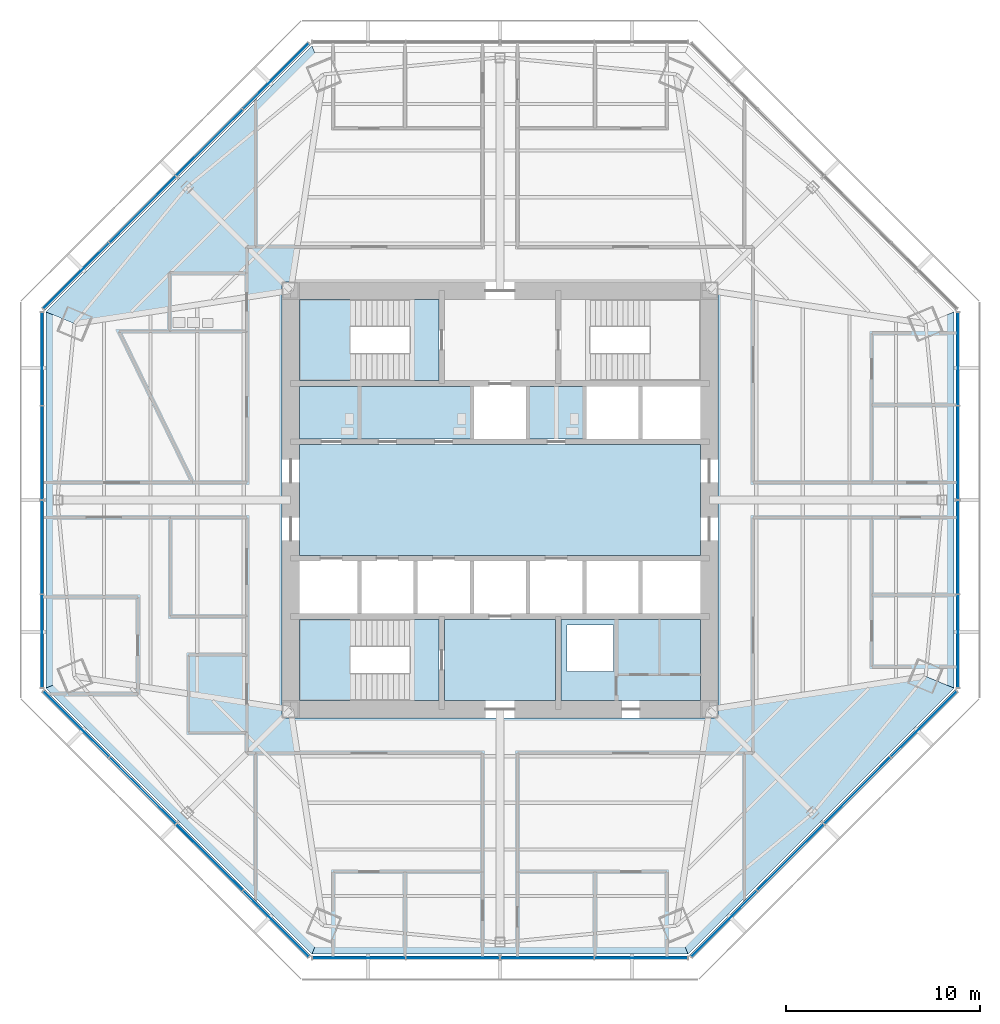
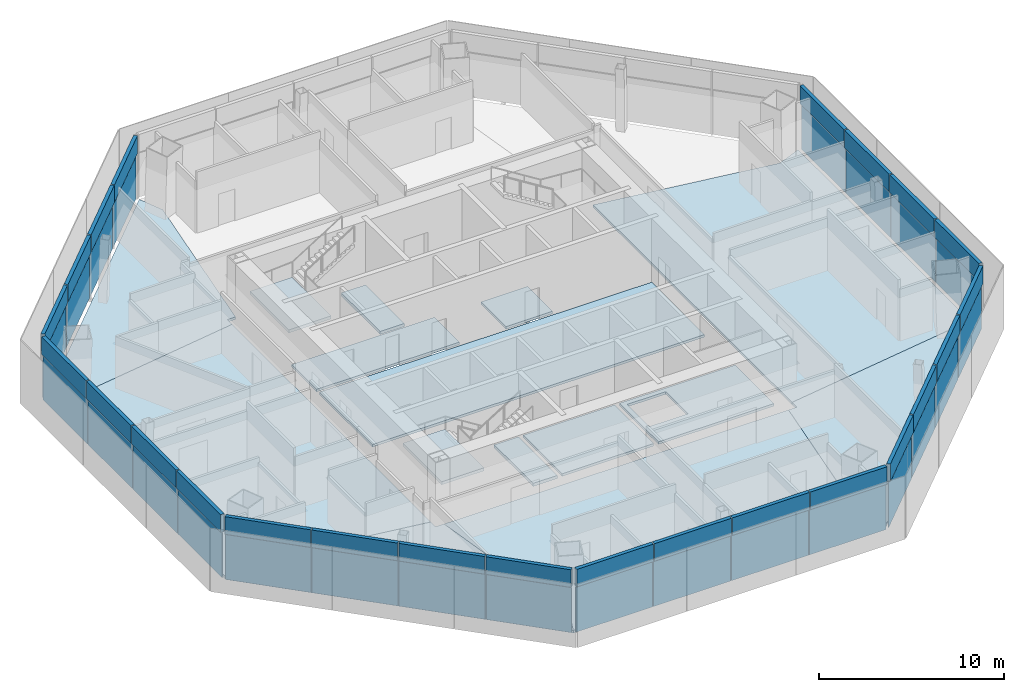
# One storey, part 7 of 15: 48 plates, 15 slabs, 8 elements without a shape of their own.
"""IFC4 building model written with IfcOpenShell, lengths in metres."""

from ifc_helpers import new_model, si_unit, direction, frame, origin, origin_2d, place, context, subcontext, project, spatial, polyline, rectangle, outline, extrude, source, transform, mapped, material, layer, layer_set, type_object, type_shapes, element, aggregate, save


model = new_model("IFC4")

# Units and contexts
model_context = context("Model", 3, precision=1e-05, world=origin(), true_north=direction((0.0, 1.0)))
body_context = subcontext(model_context, "Body", "Model", "MODEL_VIEW")
ifc_project = project(units=[si_unit("LENGTHUNIT", "METRE"), si_unit("AREAUNIT", "SQUARE_METRE"), si_unit("VOLUMEUNIT", "CUBIC_METRE"), si_unit("PLANEANGLEUNIT", "RADIAN"), si_unit("MASSUNIT", "GRAM", prefix="KILO")], contexts=[model_context])

# Site, building, storey
site_placement = place(None, origin())
site = spatial("IfcSite", under=ifc_project, at=site_placement, CompositionType="ELEMENT")
building_placement = place(site_placement, origin())
building = spatial("IfcBuilding", under=site, at=building_placement, Name="Mashrafa Tower", CompositionType="ELEMENT")
storey_placement = place(building_placement, frame((0.0, 0.0, 155.39990234375)))
storey = spatial("IfcBuildingStorey", under=building, at=storey_placement, Name="L35", CompositionType="ELEMENT", Elevation=155.39990234375)

# Slabs
ifc_material_1 = material(Name="Concrete C35/45", Category="concrete")
ifc_layer_1 = layer(ifc_material_1, 0.1650390625)
ifc_layer_set_1 = layer_set([ifc_layer_1], Name="Floor slab 165")
slab_type_1 = type_object("IfcSlabType", Name="Floor slab 165", PredefinedType="FLOOR", material=ifc_layer_set_1)
slab_1_placement = place(storey_placement, frame((0.0, 0.0, -0.164794921875)))
element("IfcSlab", 1, at=slab_1_placement, inside=storey, type_object=slab_type_1, Name="Floor slab L35 east bay", PredefinedType="FLOOR", context=body_context, shape_type="SweptSolid", body=[
    extrude(outline(polyline([(23.418701171875, 9.700439453125), (23.418701171875, -9.700439453125), (23.418701171875, -9.700439453125), (21.945068359375, -9.090087890625), (11.25, -10.73095703125), (11.25, 10.73095703125), (21.945068359375, 9.090087890625), (23.418701171875, 9.700439453125), (23.418701171875, 9.700439453125)])), origin(), (0.0, 0.0, 1.0), 0.164794921875),
])
slab_2_placement = place(storey_placement, frame((0.0, 0.0, -0.164794921875)))
element("IfcSlab", 2, at=slab_2_placement, inside=storey, type_object=slab_type_1, Name="Floor slab L35 north-west bay", PredefinedType="FLOOR", context=body_context, shape_type="SweptSolid", body=[
    extrude(outline(polyline([(-9.700439453125, 23.418701171875), (-9.090087890625, 21.945068359375), (-10.73095703125, 11.25), (-11.25, 11.25), (-11.25, 10.73095703125), (-21.945068359375, 9.090087890625), (-23.418701171875, 9.700439453125), (-9.700439453125, 23.418701171875)])), origin(), (0.0, 0.0, 1.0), 0.164794921875),
])
slab_3_placement = place(storey_placement, frame((0.0, 0.0, -0.164794921875)))
element("IfcSlab", 3, at=slab_3_placement, inside=storey, type_object=slab_type_1, Name="Floor slab L35 west bay", PredefinedType="FLOOR", context=body_context, shape_type="SweptSolid", body=[
    extrude(outline(polyline([(-23.418701171875, -9.700439453125), (-23.418701171875, 9.700439453125), (-23.418701171875, 9.700439453125), (-21.945068359375, 9.090087890625), (-11.25, 10.73095703125), (-11.25, -10.73095703125), (-21.945068359375, -9.090087890625), (-23.418701171875, -9.700439453125), (-23.418701171875, -9.700439453125)])), origin(), (0.0, 0.0, 1.0), 0.164794921875),
])
slab_4_placement = place(storey_placement, frame((0.0, 0.0, -0.164794921875)))
element("IfcSlab", 4, at=slab_4_placement, inside=storey, type_object=slab_type_1, Name="Floor slab L35 south-west bay", PredefinedType="FLOOR", context=body_context, shape_type="SweptSolid", body=[
    extrude(outline(polyline([(-23.418701171875, -9.700439453125), (-21.945068359375, -9.090087890625), (-11.25, -10.73095703125), (-11.25, -11.25), (-10.73095703125, -11.25), (-9.090087890625, -21.945068359375), (-9.700439453125, -23.418701171875), (-23.418701171875, -9.700439453125)])), origin(), (0.0, 0.0, 1.0), 0.164794921875),
])
slab_5_placement = place(storey_placement, frame((0.0, 0.0, -0.164794921875)))
element("IfcSlab", 5, at=slab_5_placement, inside=storey, type_object=slab_type_1, Name="Floor slab L35 south bay", PredefinedType="FLOOR", context=body_context, shape_type="SweptSolid", body=[
    extrude(outline(polyline([(-9.700439453125, -23.418701171875), (-9.700439453125, -23.418701171875), (-9.090087890625, -21.945068359375), (-10.73095703125, -11.25), (10.73095703125, -11.25), (9.090087890625, -21.945068359375), (9.700439453125, -23.418701171875), (9.700439453125, -23.418701171875), (-9.700439453125, -23.418701171875)])), origin(), (0.0, 0.0, 1.0), 0.164794921875),
])
slab_6_placement = place(storey_placement, frame((0.0, 0.0, -0.164794921875)))
element("IfcSlab", 6, at=slab_6_placement, inside=storey, type_object=slab_type_1, Name="Floor slab L35 south-east bay", PredefinedType="FLOOR", context=body_context, shape_type="SweptSolid", body=[
    extrude(outline(polyline([(9.700439453125, -23.418701171875), (9.090087890625, -21.945068359375), (10.73095703125, -11.25), (11.25, -11.25), (11.25, -10.73095703125), (21.945068359375, -9.090087890625), (23.418701171875, -9.700439453125), (9.700439453125, -23.418701171875)])), origin(), (0.0, 0.0, 1.0), 0.164794921875),
])
slab_7_placement = place(storey_placement, frame((0.0, 0.0, -0.164794921875)))
element("IfcSlab", 7, at=slab_7_placement, inside=storey, type_object=slab_type_1, Name="Core floor lift hall L35", PredefinedType="FLOOR", context=body_context, shape_type="SweptSolid", body=[
    extrude(outline(polyline([(-10.35009765625, 2.85009765625), (10.35009765625, 2.85009765625), (10.35009765625, -2.85009765625), (-10.35009765625, -2.85009765625), (-10.35009765625, 2.85009765625)])), origin(), (0.0, 0.0, 1.0), 0.164794921875),
])
slab_8_placement = place(storey_placement, frame((0.0, 0.0, -0.164794921875)))
element("IfcSlab", 8, at=slab_8_placement, inside=storey, type_object=slab_type_1, Name="Core floor riser and electrical band L35", PredefinedType="FLOOR", context=body_context, shape_type="SweptSolid", body=[
    extrude(outline(polyline([(10.35009765625, -6.14990234375), (10.35009765625, -10.35009765625), (3.14990234375, -10.35009765625), (3.14990234375, -6.14990234375), (10.35009765625, -6.14990234375)]), holes=[polyline([(3.449951171875, -8.85009765625), (5.85009765625, -8.85009765625), (5.85009765625, -6.449951171875), (3.449951171875, -6.449951171875), (3.449951171875, -8.85009765625)])]), origin(), (0.0, 0.0, 1.0), 0.164794921875),
])
slab_9_placement = place(storey_placement, frame((0.0, 0.0, -0.164794921875)))
element("IfcSlab", 9, at=slab_9_placement, inside=storey, type_object=slab_type_1, Name="Core floor lift cell L35", PredefinedType="FLOOR", context=body_context, shape_type="SweptSolid", body=[
    extrude(outline(polyline([(-1.449951171875, 3.14990234375), (-10.35009765625, 3.14990234375), (-10.35009765625, 5.85009765625), (-1.449951171875, 5.85009765625), (-1.449951171875, 3.14990234375)])), origin(), (0.0, 0.0, 1.0), 0.164794921875),
])
slab_10_placement = place(storey_placement, frame((0.0, 0.0, -0.164794921875)))
element("IfcSlab", 10, at=slab_10_placement, inside=storey, type_object=slab_type_1, Name="Core floor fire-fighting lobby south L35", PredefinedType="FLOOR", context=body_context, shape_type="SweptSolid", body=[
    extrude(outline(polyline([(2.85009765625, -6.14990234375), (2.85009765625, -10.35009765625), (-2.85009765625, -10.35009765625), (-2.85009765625, -6.14990234375), (2.85009765625, -6.14990234375)])), origin(), (0.0, 0.0, 1.0), 0.164794921875),
])
slab_11_placement = place(storey_placement, frame((0.0, 0.0, -0.164794921875)))
element("IfcSlab", 11, at=slab_11_placement, inside=storey, type_object=slab_type_1, Name="Core floor lift cell L35", PredefinedType="FLOOR", context=body_context, shape_type="SweptSolid", body=[
    extrude(outline(polyline([(4.35009765625, 5.85009765625), (4.35009765625, 3.14990234375), (1.449951171875, 3.14990234375), (1.449951171875, 5.85009765625), (4.35009765625, 5.85009765625)])), origin(), (0.0, 0.0, 1.0), 0.164794921875),
])

# Stair, slabs
ifc_material_2 = material(Name="Exit stair 1400")
stair_type = type_object("IfcStairType", Name="Exit stair 1400", PredefinedType="HALF_TURN_STAIR", material=ifc_material_2)
stair_1_placement = place(storey_placement, origin())
stair_1 = element("IfcStair", 12, at=stair_1_placement, inside=storey, type_object=stair_type, Name="Stair S1 L35", PredefinedType="HALF_TURN_STAIR")
ifc_material_3 = material(Name="Concrete C32/40", Category="concrete")
ifc_layer_2 = layer(ifc_material_3, 0.199951171875)
ifc_layer_set_2 = layer_set([ifc_layer_2], Name="Stair landing 200")
slab_type_2 = type_object("IfcSlabType", Name="Stair landing 200", PredefinedType="LANDING", material=ifc_layer_set_2)
slab_12_placement = place(storey_placement, frame((0.0, 0.0, -0.199951171875)))
slab_12 = element("IfcSlab", 13, at=slab_12_placement, type_object=slab_type_2, Name="S1 landing 1", PredefinedType="LANDING", context=body_context, shape_type="SweptSolid", body=[
    extrude(outline(polyline([(-4.659912109375, 6.14990234375), (-3.14990234375, 6.14990234375), (-3.14990234375, 10.35009765625), (-4.659912109375, 10.35009765625), (-4.659912109375, 6.14990234375)])), origin(), (0.0, 0.0, 1.0), 0.199951171875),
])
slab_13_placement = place(storey_placement, frame((0.0, 0.0, 1.900146484375)))
slab_13 = element("IfcSlab", 14, at=slab_13_placement, type_object=slab_type_2, Name="S1 landing 2", PredefinedType="LANDING", context=body_context, shape_type="SweptSolid", body=[
    extrude(outline(polyline([(-10.35009765625, 6.14990234375), (-7.719970703125, 6.14990234375), (-7.719970703125, 10.35009765625), (-10.35009765625, 10.35009765625), (-10.35009765625, 6.14990234375)])), origin(), (0.0, 0.0, 1.0), 0.199951171875),
])
aggregate(stair_1, [slab_12, slab_13])

stair_2_placement = place(storey_placement, origin())
stair_2 = element("IfcStair", 15, at=stair_2_placement, inside=storey, type_object=stair_type, Name="Stair S3 L35", PredefinedType="HALF_TURN_STAIR")
slab_14_placement = place(storey_placement, frame((0.0, 0.0, -0.199951171875)))
slab_14 = element("IfcSlab", 16, at=slab_14_placement, type_object=slab_type_2, Name="S3 landing 1", PredefinedType="LANDING", context=body_context, shape_type="SweptSolid", body=[
    extrude(outline(polyline([(-4.659912109375, -10.35009765625), (-3.14990234375, -10.35009765625), (-3.14990234375, -6.14990234375), (-4.659912109375, -6.14990234375), (-4.659912109375, -10.35009765625)])), origin(), (0.0, 0.0, 1.0), 0.199951171875),
])
slab_15_placement = place(storey_placement, frame((0.0, 0.0, 1.900146484375)))
slab_15 = element("IfcSlab", 17, at=slab_15_placement, type_object=slab_type_2, Name="S3 landing 2", PredefinedType="LANDING", context=body_context, shape_type="SweptSolid", body=[
    extrude(outline(polyline([(-10.35009765625, -10.35009765625), (-7.719970703125, -10.35009765625), (-7.719970703125, -6.14990234375), (-10.35009765625, -6.14990234375), (-10.35009765625, -10.35009765625)])), origin(), (0.0, 0.0, 1.0), 0.199951171875),
])
aggregate(stair_2, [slab_14, slab_15])

# Curtain wall, plates
ifc_material_4 = material(Name="Unitised aluminium curtain wall", Category="aluminium")
curtain_wall_type = type_object("IfcCurtainWallType", Name="Office curtain wall, zone 2 CW-B 225 deep", PredefinedType="NOTDEFINED", material=ifc_material_4)
curtain_wall_1_placement = place(storey_placement, origin())
curtain_wall_1 = element("IfcCurtainWall", 18, at=curtain_wall_1_placement, inside=storey, type_object=curtain_wall_type, Name="Office curtain wall, zone 2 L35 east", PredefinedType="NOTDEFINED")
ifc_material_5 = material(Name="Insulated double glazing, low-e, neutral", Category="glass")
ifc_layer_3 = layer(ifc_material_5, 0.028076171875)
ifc_layer_set_3 = layer_set([ifc_layer_3], Name="Vision panel CW-B 28")
plate_type_1 = type_object("IfcPlateType", Name="Vision panel CW-B 28", PredefinedType="CURTAIN_PANEL", material=ifc_layer_set_3)
shared_shape_1 = source(origin(), body_context, "Body", "SweptSolid", [
    extrude(rectangle(XDim=4.765869140625, YDim=0.028076171875, at=origin_2d()), origin(), (0.0, 0.0, 1.0), 2.9599609375),
])
plate_1_placement = place(storey_placement, frame((23.61865234375, -7.278564453125, 0.0), z_axis=(0.0, 0.0, 1.0), x_axis=(0.0, 1.0, 0.0)))
plate_1 = element("IfcPlate", 19, at=plate_1_placement, type_object=plate_type_1, Name="CW-B vision panel 1", PredefinedType="CURTAIN_PANEL", context=body_context, shape_type="MappedRepresentation", body=[
    mapped(shared_shape_1, transform((0.0, 0.0, 0.0))),
])
plate_2_placement = place(storey_placement, frame((23.61865234375, 7.278564453125, 0.0), z_axis=(0.0, 0.0, 1.0), x_axis=(0.0, 1.0, 0.0)))
plate_2 = element("IfcPlate", 20, at=plate_2_placement, type_object=plate_type_1, Name="CW-B vision panel 4", PredefinedType="CURTAIN_PANEL", context=body_context, shape_type="MappedRepresentation", body=[
    mapped(shared_shape_1, transform((0.0, 0.0, 0.0))),
])

curtain_wall_2_placement = place(storey_placement, origin())
curtain_wall_2 = element("IfcCurtainWall", 21, at=curtain_wall_2_placement, inside=storey, type_object=curtain_wall_type, Name="Office curtain wall, zone 2 L35 north-west", PredefinedType="NOTDEFINED")
plate_3_placement = place(storey_placement, frame((-11.55419921875, 21.84765625, 0.0), z_axis=(0.0, 0.0, 1.0), x_axis=(-0.707106781187, -0.707106781187, 0.0)))
plate_3 = element("IfcPlate", 22, at=plate_3_placement, type_object=plate_type_1, Name="CW-B vision panel 1", PredefinedType="CURTAIN_PANEL", context=body_context, shape_type="MappedRepresentation", body=[
    mapped(shared_shape_1, transform((0.0, 0.0, 0.0))),
])
plate_4_placement = place(storey_placement, frame((-21.84765625, 11.55419921875, 0.0), z_axis=(0.0, 0.0, 1.0), x_axis=(-0.707106781187, -0.707106781187, 0.0)))
plate_4 = element("IfcPlate", 23, at=plate_4_placement, type_object=plate_type_1, Name="CW-B vision panel 4", PredefinedType="CURTAIN_PANEL", context=body_context, shape_type="MappedRepresentation", body=[
    mapped(shared_shape_1, transform((0.0, 0.0, 0.0))),
])

curtain_wall_3_placement = place(storey_placement, origin())
curtain_wall_3 = element("IfcCurtainWall", 24, at=curtain_wall_3_placement, inside=storey, type_object=curtain_wall_type, Name="Office curtain wall, zone 2 L35 west", PredefinedType="NOTDEFINED")
plate_5_placement = place(storey_placement, frame((-23.61865234375, 7.278564453125, 0.0), z_axis=(0.0, 0.0, 1.0), x_axis=(0.0, -1.0, 0.0)))
plate_5 = element("IfcPlate", 25, at=plate_5_placement, type_object=plate_type_1, Name="CW-B vision panel 1", PredefinedType="CURTAIN_PANEL", context=body_context, shape_type="MappedRepresentation", body=[
    mapped(shared_shape_1, transform((0.0, 0.0, 0.0))),
])
plate_6_placement = place(storey_placement, frame((-23.61865234375, -7.278564453125, 0.0), z_axis=(0.0, 0.0, 1.0), x_axis=(0.0, -1.0, 0.0)))
plate_6 = element("IfcPlate", 26, at=plate_6_placement, type_object=plate_type_1, Name="CW-B vision panel 4", PredefinedType="CURTAIN_PANEL", context=body_context, shape_type="MappedRepresentation", body=[
    mapped(shared_shape_1, transform((0.0, 0.0, 0.0))),
])

curtain_wall_4_placement = place(storey_placement, origin())
curtain_wall_4 = element("IfcCurtainWall", 27, at=curtain_wall_4_placement, inside=storey, type_object=curtain_wall_type, Name="Office curtain wall, zone 2 L35 south-west", PredefinedType="NOTDEFINED")
plate_7_placement = place(storey_placement, frame((-21.84765625, -11.55419921875, 0.0), z_axis=(0.0, 0.0, 1.0), x_axis=(0.707106781187, -0.707106781187, 0.0)))
plate_7 = element("IfcPlate", 28, at=plate_7_placement, type_object=plate_type_1, Name="CW-B vision panel 1", PredefinedType="CURTAIN_PANEL", context=body_context, shape_type="MappedRepresentation", body=[
    mapped(shared_shape_1, transform((0.0, 0.0, 0.0))),
])
plate_8_placement = place(storey_placement, frame((-11.55419921875, -21.84765625, 0.0), z_axis=(0.0, 0.0, 1.0), x_axis=(0.707106781187, -0.707106781187, 0.0)))
plate_8 = element("IfcPlate", 29, at=plate_8_placement, type_object=plate_type_1, Name="CW-B vision panel 4", PredefinedType="CURTAIN_PANEL", context=body_context, shape_type="MappedRepresentation", body=[
    mapped(shared_shape_1, transform((0.0, 0.0, 0.0))),
])

curtain_wall_5_placement = place(storey_placement, origin())
curtain_wall_5 = element("IfcCurtainWall", 30, at=curtain_wall_5_placement, inside=storey, type_object=curtain_wall_type, Name="Office curtain wall, zone 2 L35 south", PredefinedType="NOTDEFINED")
plate_9_placement = place(storey_placement, frame((-7.278564453125, -23.61865234375, 0.0), z_axis=(0.0, 0.0, 1.0), x_axis=(1.0, 0.0, 0.0)))
plate_9 = element("IfcPlate", 31, at=plate_9_placement, type_object=plate_type_1, Name="CW-B vision panel 1", PredefinedType="CURTAIN_PANEL", context=body_context, shape_type="MappedRepresentation", body=[
    mapped(shared_shape_1, transform((0.0, 0.0, 0.0))),
])
plate_10_placement = place(storey_placement, frame((7.278564453125, -23.61865234375, 0.0), z_axis=(0.0, 0.0, 1.0), x_axis=(1.0, 0.0, 0.0)))
plate_10 = element("IfcPlate", 32, at=plate_10_placement, type_object=plate_type_1, Name="CW-B vision panel 4", PredefinedType="CURTAIN_PANEL", context=body_context, shape_type="MappedRepresentation", body=[
    mapped(shared_shape_1, transform((0.0, 0.0, 0.0))),
])

curtain_wall_6_placement = place(storey_placement, origin())
curtain_wall_6 = element("IfcCurtainWall", 33, at=curtain_wall_6_placement, inside=storey, type_object=curtain_wall_type, Name="Office curtain wall, zone 2 L35 south-east", PredefinedType="NOTDEFINED")
plate_11_placement = place(storey_placement, frame((11.55419921875, -21.84765625, 0.0), z_axis=(0.0, 0.0, 1.0), x_axis=(0.707106781187, 0.707106781187, 0.0)))
plate_11 = element("IfcPlate", 34, at=plate_11_placement, type_object=plate_type_1, Name="CW-B vision panel 1", PredefinedType="CURTAIN_PANEL", context=body_context, shape_type="MappedRepresentation", body=[
    mapped(shared_shape_1, transform((0.0, 0.0, 0.0))),
])
plate_12_placement = place(storey_placement, frame((21.84765625, -11.55419921875, 0.0), z_axis=(0.0, 0.0, 1.0), x_axis=(0.707106781187, 0.707106781187, 0.0)))
plate_12 = element("IfcPlate", 35, at=plate_12_placement, type_object=plate_type_1, Name="CW-B vision panel 4", PredefinedType="CURTAIN_PANEL", context=body_context, shape_type="MappedRepresentation", body=[
    mapped(shared_shape_1, transform((0.0, 0.0, 0.0))),
])

# Plate
ifc_material_6 = material(Name="Insulated aluminium spandrel panel", Category="aluminium")
ifc_layer_4 = layer(ifc_material_6, 0.219970703125)
ifc_layer_set_4 = layer_set([ifc_layer_4], Name="Spandrel panel CW-B 220")
plate_type_2 = type_object("IfcPlateType", Name="Spandrel panel CW-B 220", PredefinedType="CURTAIN_PANEL", material=ifc_layer_set_4)
shared_shape_2 = source(origin(), body_context, "Body", "SweptSolid", [
    extrude(rectangle(XDim=4.765869140625, YDim=0.219970703125, at=origin_2d()), origin(), (0.0, 0.0, 1.0), 1.159912109375),
])
plate_13_placement = place(storey_placement, frame((23.61865234375, -7.278564453125, 3.0400390625), z_axis=(0.0, 0.0, 1.0), x_axis=(0.0, 1.0, 0.0)))
plate_13 = element("IfcPlate", 36, at=plate_13_placement, type_object=plate_type_2, Name="CW-B spandrel panel 1", PredefinedType="CURTAIN_PANEL", context=body_context, shape_type="MappedRepresentation", body=[
    mapped(shared_shape_2, transform((0.0, 0.0, 0.0))),
])

plate_14_placement = place(storey_placement, frame((23.61865234375, 7.278564453125, 3.0400390625), z_axis=(0.0, 0.0, 1.0), x_axis=(0.0, 1.0, 0.0)))
plate_14 = element("IfcPlate", 37, at=plate_14_placement, type_object=plate_type_2, Name="CW-B spandrel panel 4", PredefinedType="CURTAIN_PANEL", context=body_context, shape_type="MappedRepresentation", body=[
    mapped(shared_shape_2, transform((0.0, 0.0, 0.0))),
])

plate_15_placement = place(storey_placement, frame((-11.55419921875, 21.84765625, 3.0400390625), z_axis=(0.0, 0.0, 1.0), x_axis=(-0.707106781187, -0.707106781187, 0.0)))
plate_15 = element("IfcPlate", 38, at=plate_15_placement, type_object=plate_type_2, Name="CW-B spandrel panel 1", PredefinedType="CURTAIN_PANEL", context=body_context, shape_type="MappedRepresentation", body=[
    mapped(shared_shape_2, transform((0.0, 0.0, 0.0))),
])

plate_16_placement = place(storey_placement, frame((-21.84765625, 11.55419921875, 3.0400390625), z_axis=(0.0, 0.0, 1.0), x_axis=(-0.707106781187, -0.707106781187, 0.0)))
plate_16 = element("IfcPlate", 39, at=plate_16_placement, type_object=plate_type_2, Name="CW-B spandrel panel 4", PredefinedType="CURTAIN_PANEL", context=body_context, shape_type="MappedRepresentation", body=[
    mapped(shared_shape_2, transform((0.0, 0.0, 0.0))),
])

plate_17_placement = place(storey_placement, frame((-23.61865234375, 7.278564453125, 3.0400390625), z_axis=(0.0, 0.0, 1.0), x_axis=(0.0, -1.0, 0.0)))
plate_17 = element("IfcPlate", 40, at=plate_17_placement, type_object=plate_type_2, Name="CW-B spandrel panel 1", PredefinedType="CURTAIN_PANEL", context=body_context, shape_type="MappedRepresentation", body=[
    mapped(shared_shape_2, transform((0.0, 0.0, 0.0))),
])

plate_18_placement = place(storey_placement, frame((-23.61865234375, -7.278564453125, 3.0400390625), z_axis=(0.0, 0.0, 1.0), x_axis=(0.0, -1.0, 0.0)))
plate_18 = element("IfcPlate", 41, at=plate_18_placement, type_object=plate_type_2, Name="CW-B spandrel panel 4", PredefinedType="CURTAIN_PANEL", context=body_context, shape_type="MappedRepresentation", body=[
    mapped(shared_shape_2, transform((0.0, 0.0, 0.0))),
])

plate_19_placement = place(storey_placement, frame((-21.84765625, -11.55419921875, 3.0400390625), z_axis=(0.0, 0.0, 1.0), x_axis=(0.707106781187, -0.707106781187, 0.0)))
plate_19 = element("IfcPlate", 42, at=plate_19_placement, type_object=plate_type_2, Name="CW-B spandrel panel 1", PredefinedType="CURTAIN_PANEL", context=body_context, shape_type="MappedRepresentation", body=[
    mapped(shared_shape_2, transform((0.0, 0.0, 0.0))),
])

plate_20_placement = place(storey_placement, frame((-11.55419921875, -21.84765625, 3.0400390625), z_axis=(0.0, 0.0, 1.0), x_axis=(0.707106781187, -0.707106781187, 0.0)))
plate_20 = element("IfcPlate", 43, at=plate_20_placement, type_object=plate_type_2, Name="CW-B spandrel panel 4", PredefinedType="CURTAIN_PANEL", context=body_context, shape_type="MappedRepresentation", body=[
    mapped(shared_shape_2, transform((0.0, 0.0, 0.0))),
])

plate_21_placement = place(storey_placement, frame((-7.278564453125, -23.61865234375, 3.0400390625), z_axis=(0.0, 0.0, 1.0), x_axis=(1.0, 0.0, 0.0)))
plate_21 = element("IfcPlate", 44, at=plate_21_placement, type_object=plate_type_2, Name="CW-B spandrel panel 1", PredefinedType="CURTAIN_PANEL", context=body_context, shape_type="MappedRepresentation", body=[
    mapped(shared_shape_2, transform((0.0, 0.0, 0.0))),
])

plate_22_placement = place(storey_placement, frame((7.278564453125, -23.61865234375, 3.0400390625), z_axis=(0.0, 0.0, 1.0), x_axis=(1.0, 0.0, 0.0)))
plate_22 = element("IfcPlate", 45, at=plate_22_placement, type_object=plate_type_2, Name="CW-B spandrel panel 4", PredefinedType="CURTAIN_PANEL", context=body_context, shape_type="MappedRepresentation", body=[
    mapped(shared_shape_2, transform((0.0, 0.0, 0.0))),
])

plate_23_placement = place(storey_placement, frame((11.55419921875, -21.84765625, 3.0400390625), z_axis=(0.0, 0.0, 1.0), x_axis=(0.707106781187, 0.707106781187, 0.0)))
plate_23 = element("IfcPlate", 46, at=plate_23_placement, type_object=plate_type_2, Name="CW-B spandrel panel 1", PredefinedType="CURTAIN_PANEL", context=body_context, shape_type="MappedRepresentation", body=[
    mapped(shared_shape_2, transform((0.0, 0.0, 0.0))),
])

plate_24_placement = place(storey_placement, frame((21.84765625, -11.55419921875, 3.0400390625), z_axis=(0.0, 0.0, 1.0), x_axis=(0.707106781187, 0.707106781187, 0.0)))
plate_24 = element("IfcPlate", 47, at=plate_24_placement, type_object=plate_type_2, Name="CW-B spandrel panel 4", PredefinedType="CURTAIN_PANEL", context=body_context, shape_type="MappedRepresentation", body=[
    mapped(shared_shape_2, transform((0.0, 0.0, 0.0))),
])

shared_shape_3 = source(origin(), body_context, "Body", "SweptSolid", [
    extrude(rectangle(XDim=4.79833984375, YDim=0.028076171875, at=origin_2d()), origin(), (0.0, 0.0, 1.0), 2.9599609375),
])
type_shapes(plate_type_1, [shared_shape_1, shared_shape_3])
plate_25_placement = place(storey_placement, frame((23.61865234375, -2.431640625, 0.0), z_axis=(0.0, 0.0, 1.0), x_axis=(0.0, 1.0, 0.0)))
plate_25 = element("IfcPlate", 48, at=plate_25_placement, type_object=plate_type_1, Name="CW-B vision panel 2", PredefinedType="CURTAIN_PANEL", context=body_context, shape_type="MappedRepresentation", body=[
    mapped(shared_shape_3, transform((0.0, 0.0, 0.0))),
])

plate_26_placement = place(storey_placement, frame((23.61865234375, 2.431640625, 0.0), z_axis=(0.0, 0.0, 1.0), x_axis=(0.0, 1.0, 0.0)))
plate_26 = element("IfcPlate", 49, at=plate_26_placement, type_object=plate_type_1, Name="CW-B vision panel 3", PredefinedType="CURTAIN_PANEL", context=body_context, shape_type="MappedRepresentation", body=[
    mapped(shared_shape_3, transform((0.0, 0.0, 0.0))),
])

plate_27_placement = place(storey_placement, frame((-14.9814453125, 18.42041015625, 0.0), z_axis=(0.0, 0.0, 1.0), x_axis=(-0.707106781187, -0.707106781187, 0.0)))
plate_27 = element("IfcPlate", 50, at=plate_27_placement, type_object=plate_type_1, Name="CW-B vision panel 2", PredefinedType="CURTAIN_PANEL", context=body_context, shape_type="MappedRepresentation", body=[
    mapped(shared_shape_3, transform((0.0, 0.0, 0.0))),
])

plate_28_placement = place(storey_placement, frame((-18.42041015625, 14.9814453125, 0.0), z_axis=(0.0, 0.0, 1.0), x_axis=(-0.707106781187, -0.707106781187, 0.0)))
plate_28 = element("IfcPlate", 51, at=plate_28_placement, type_object=plate_type_1, Name="CW-B vision panel 3", PredefinedType="CURTAIN_PANEL", context=body_context, shape_type="MappedRepresentation", body=[
    mapped(shared_shape_3, transform((0.0, 0.0, 0.0))),
])

plate_29_placement = place(storey_placement, frame((-23.61865234375, 2.431640625, 0.0), z_axis=(0.0, 0.0, 1.0), x_axis=(0.0, -1.0, 0.0)))
plate_29 = element("IfcPlate", 52, at=plate_29_placement, type_object=plate_type_1, Name="CW-B vision panel 2", PredefinedType="CURTAIN_PANEL", context=body_context, shape_type="MappedRepresentation", body=[
    mapped(shared_shape_3, transform((0.0, 0.0, 0.0))),
])

plate_30_placement = place(storey_placement, frame((-23.61865234375, -2.431640625, 0.0), z_axis=(0.0, 0.0, 1.0), x_axis=(0.0, -1.0, 0.0)))
plate_30 = element("IfcPlate", 53, at=plate_30_placement, type_object=plate_type_1, Name="CW-B vision panel 3", PredefinedType="CURTAIN_PANEL", context=body_context, shape_type="MappedRepresentation", body=[
    mapped(shared_shape_3, transform((0.0, 0.0, 0.0))),
])

plate_31_placement = place(storey_placement, frame((-18.42041015625, -14.9814453125, 0.0), z_axis=(0.0, 0.0, 1.0), x_axis=(0.707106781187, -0.707106781187, 0.0)))
plate_31 = element("IfcPlate", 54, at=plate_31_placement, type_object=plate_type_1, Name="CW-B vision panel 2", PredefinedType="CURTAIN_PANEL", context=body_context, shape_type="MappedRepresentation", body=[
    mapped(shared_shape_3, transform((0.0, 0.0, 0.0))),
])

plate_32_placement = place(storey_placement, frame((-14.9814453125, -18.42041015625, 0.0), z_axis=(0.0, 0.0, 1.0), x_axis=(0.707106781187, -0.707106781187, 0.0)))
plate_32 = element("IfcPlate", 55, at=plate_32_placement, type_object=plate_type_1, Name="CW-B vision panel 3", PredefinedType="CURTAIN_PANEL", context=body_context, shape_type="MappedRepresentation", body=[
    mapped(shared_shape_3, transform((0.0, 0.0, 0.0))),
])

plate_33_placement = place(storey_placement, frame((-2.431640625, -23.61865234375, 0.0), z_axis=(0.0, 0.0, 1.0), x_axis=(1.0, 0.0, 0.0)))
plate_33 = element("IfcPlate", 56, at=plate_33_placement, type_object=plate_type_1, Name="CW-B vision panel 2", PredefinedType="CURTAIN_PANEL", context=body_context, shape_type="MappedRepresentation", body=[
    mapped(shared_shape_3, transform((0.0, 0.0, 0.0))),
])

plate_34_placement = place(storey_placement, frame((2.431640625, -23.61865234375, 0.0), z_axis=(0.0, 0.0, 1.0), x_axis=(1.0, 0.0, 0.0)))
plate_34 = element("IfcPlate", 57, at=plate_34_placement, type_object=plate_type_1, Name="CW-B vision panel 3", PredefinedType="CURTAIN_PANEL", context=body_context, shape_type="MappedRepresentation", body=[
    mapped(shared_shape_3, transform((0.0, 0.0, 0.0))),
])

plate_35_placement = place(storey_placement, frame((14.9814453125, -18.42041015625, 0.0), z_axis=(0.0, 0.0, 1.0), x_axis=(0.707106781187, 0.707106781187, 0.0)))
plate_35 = element("IfcPlate", 58, at=plate_35_placement, type_object=plate_type_1, Name="CW-B vision panel 2", PredefinedType="CURTAIN_PANEL", context=body_context, shape_type="MappedRepresentation", body=[
    mapped(shared_shape_3, transform((0.0, 0.0, 0.0))),
])

plate_36_placement = place(storey_placement, frame((18.42041015625, -14.9814453125, 0.0), z_axis=(0.0, 0.0, 1.0), x_axis=(0.707106781187, 0.707106781187, 0.0)))
plate_36 = element("IfcPlate", 59, at=plate_36_placement, type_object=plate_type_1, Name="CW-B vision panel 3", PredefinedType="CURTAIN_PANEL", context=body_context, shape_type="MappedRepresentation", body=[
    mapped(shared_shape_3, transform((0.0, 0.0, 0.0))),
])

shared_shape_4 = source(origin(), body_context, "Body", "SweptSolid", [
    extrude(rectangle(XDim=4.79833984375, YDim=0.219970703125, at=origin_2d()), origin(), (0.0, 0.0, 1.0), 1.159912109375),
])
type_shapes(plate_type_2, [shared_shape_2, shared_shape_4])
plate_37_placement = place(storey_placement, frame((23.61865234375, -2.431640625, 3.0400390625), z_axis=(0.0, 0.0, 1.0), x_axis=(0.0, 1.0, 0.0)))
plate_37 = element("IfcPlate", 60, at=plate_37_placement, type_object=plate_type_2, Name="CW-B spandrel panel 2", PredefinedType="CURTAIN_PANEL", context=body_context, shape_type="MappedRepresentation", body=[
    mapped(shared_shape_4, transform((0.0, 0.0, 0.0))),
])

plate_38_placement = place(storey_placement, frame((23.61865234375, 2.431640625, 3.0400390625), z_axis=(0.0, 0.0, 1.0), x_axis=(0.0, 1.0, 0.0)))
plate_38 = element("IfcPlate", 61, at=plate_38_placement, type_object=plate_type_2, Name="CW-B spandrel panel 3", PredefinedType="CURTAIN_PANEL", context=body_context, shape_type="MappedRepresentation", body=[
    mapped(shared_shape_4, transform((0.0, 0.0, 0.0))),
])

aggregate(curtain_wall_1, [plate_1, plate_13, plate_25, plate_37, plate_26, plate_38, plate_2, plate_14])

plate_39_placement = place(storey_placement, frame((-14.9814453125, 18.42041015625, 3.0400390625), z_axis=(0.0, 0.0, 1.0), x_axis=(-0.707106781187, -0.707106781187, 0.0)))
plate_39 = element("IfcPlate", 62, at=plate_39_placement, type_object=plate_type_2, Name="CW-B spandrel panel 2", PredefinedType="CURTAIN_PANEL", context=body_context, shape_type="MappedRepresentation", body=[
    mapped(shared_shape_4, transform((0.0, 0.0, 0.0))),
])

plate_40_placement = place(storey_placement, frame((-18.42041015625, 14.9814453125, 3.0400390625), z_axis=(0.0, 0.0, 1.0), x_axis=(-0.707106781187, -0.707106781187, 0.0)))
plate_40 = element("IfcPlate", 63, at=plate_40_placement, type_object=plate_type_2, Name="CW-B spandrel panel 3", PredefinedType="CURTAIN_PANEL", context=body_context, shape_type="MappedRepresentation", body=[
    mapped(shared_shape_4, transform((0.0, 0.0, 0.0))),
])

aggregate(curtain_wall_2, [plate_3, plate_15, plate_27, plate_39, plate_28, plate_40, plate_4, plate_16])

plate_41_placement = place(storey_placement, frame((-23.61865234375, 2.431640625, 3.0400390625), z_axis=(0.0, 0.0, 1.0), x_axis=(0.0, -1.0, 0.0)))
plate_41 = element("IfcPlate", 64, at=plate_41_placement, type_object=plate_type_2, Name="CW-B spandrel panel 2", PredefinedType="CURTAIN_PANEL", context=body_context, shape_type="MappedRepresentation", body=[
    mapped(shared_shape_4, transform((0.0, 0.0, 0.0))),
])

plate_42_placement = place(storey_placement, frame((-23.61865234375, -2.431640625, 3.0400390625), z_axis=(0.0, 0.0, 1.0), x_axis=(0.0, -1.0, 0.0)))
plate_42 = element("IfcPlate", 65, at=plate_42_placement, type_object=plate_type_2, Name="CW-B spandrel panel 3", PredefinedType="CURTAIN_PANEL", context=body_context, shape_type="MappedRepresentation", body=[
    mapped(shared_shape_4, transform((0.0, 0.0, 0.0))),
])

aggregate(curtain_wall_3, [plate_5, plate_17, plate_29, plate_41, plate_30, plate_42, plate_6, plate_18])

plate_43_placement = place(storey_placement, frame((-18.42041015625, -14.9814453125, 3.0400390625), z_axis=(0.0, 0.0, 1.0), x_axis=(0.707106781187, -0.707106781187, 0.0)))
plate_43 = element("IfcPlate", 66, at=plate_43_placement, type_object=plate_type_2, Name="CW-B spandrel panel 2", PredefinedType="CURTAIN_PANEL", context=body_context, shape_type="MappedRepresentation", body=[
    mapped(shared_shape_4, transform((0.0, 0.0, 0.0))),
])

plate_44_placement = place(storey_placement, frame((-14.9814453125, -18.42041015625, 3.0400390625), z_axis=(0.0, 0.0, 1.0), x_axis=(0.707106781187, -0.707106781187, 0.0)))
plate_44 = element("IfcPlate", 67, at=plate_44_placement, type_object=plate_type_2, Name="CW-B spandrel panel 3", PredefinedType="CURTAIN_PANEL", context=body_context, shape_type="MappedRepresentation", body=[
    mapped(shared_shape_4, transform((0.0, 0.0, 0.0))),
])

aggregate(curtain_wall_4, [plate_7, plate_19, plate_31, plate_43, plate_32, plate_44, plate_8, plate_20])

plate_45_placement = place(storey_placement, frame((-2.431640625, -23.61865234375, 3.0400390625), z_axis=(0.0, 0.0, 1.0), x_axis=(1.0, 0.0, 0.0)))
plate_45 = element("IfcPlate", 68, at=plate_45_placement, type_object=plate_type_2, Name="CW-B spandrel panel 2", PredefinedType="CURTAIN_PANEL", context=body_context, shape_type="MappedRepresentation", body=[
    mapped(shared_shape_4, transform((0.0, 0.0, 0.0))),
])

plate_46_placement = place(storey_placement, frame((2.431640625, -23.61865234375, 3.0400390625), z_axis=(0.0, 0.0, 1.0), x_axis=(1.0, 0.0, 0.0)))
plate_46 = element("IfcPlate", 69, at=plate_46_placement, type_object=plate_type_2, Name="CW-B spandrel panel 3", PredefinedType="CURTAIN_PANEL", context=body_context, shape_type="MappedRepresentation", body=[
    mapped(shared_shape_4, transform((0.0, 0.0, 0.0))),
])

aggregate(curtain_wall_5, [plate_9, plate_21, plate_33, plate_45, plate_34, plate_46, plate_10, plate_22])

plate_47_placement = place(storey_placement, frame((14.9814453125, -18.42041015625, 3.0400390625), z_axis=(0.0, 0.0, 1.0), x_axis=(0.707106781187, 0.707106781187, 0.0)))
plate_47 = element("IfcPlate", 70, at=plate_47_placement, type_object=plate_type_2, Name="CW-B spandrel panel 2", PredefinedType="CURTAIN_PANEL", context=body_context, shape_type="MappedRepresentation", body=[
    mapped(shared_shape_4, transform((0.0, 0.0, 0.0))),
])

plate_48_placement = place(storey_placement, frame((18.42041015625, -14.9814453125, 3.0400390625), z_axis=(0.0, 0.0, 1.0), x_axis=(0.707106781187, 0.707106781187, 0.0)))
plate_48 = element("IfcPlate", 71, at=plate_48_placement, type_object=plate_type_2, Name="CW-B spandrel panel 3", PredefinedType="CURTAIN_PANEL", context=body_context, shape_type="MappedRepresentation", body=[
    mapped(shared_shape_4, transform((0.0, 0.0, 0.0))),
])

aggregate(curtain_wall_6, [plate_11, plate_23, plate_35, plate_47, plate_36, plate_48, plate_12, plate_24])

save(model, "model.ifc")
